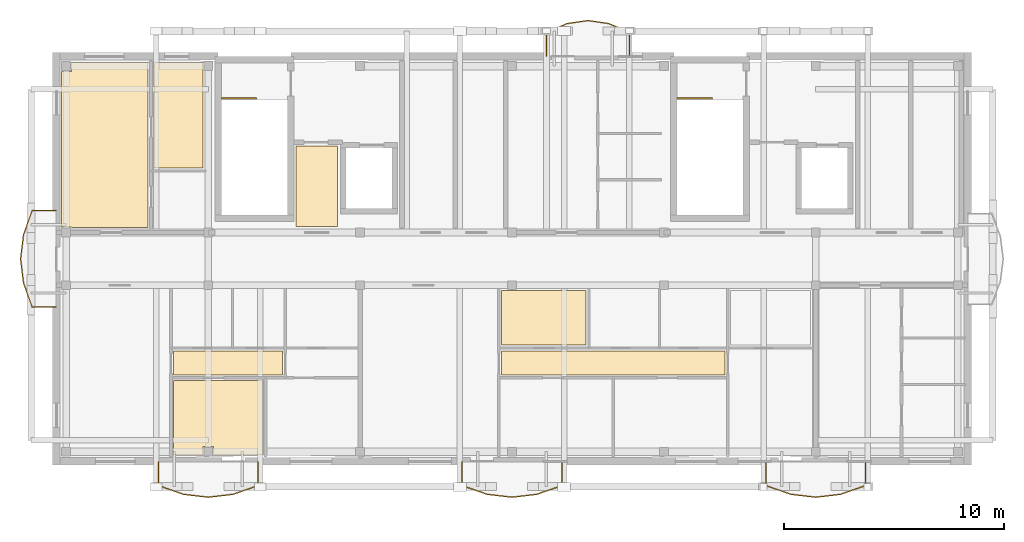
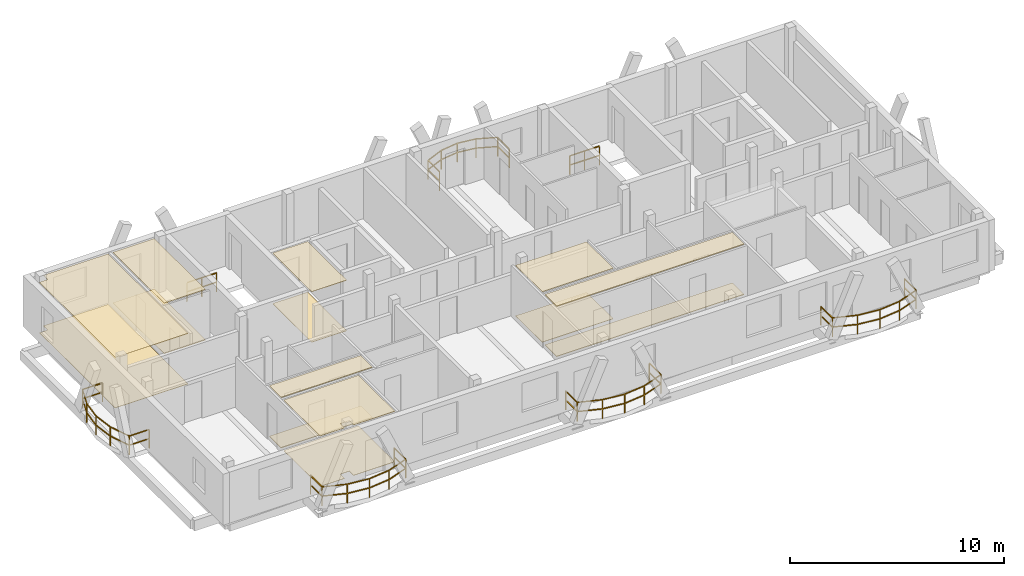
# One storey, part 6 of 7: 14 coverings, 7 railings.
"""IFC4 building model written with IfcOpenShell, lengths in metres."""

import ifcopenshell
import ifcopenshell.guid

model = None  # the IFC model being written
_history = None  # IfcOwnerHistory: only IFC2X3 demands one
_inside = {}  # id of a spatial element -> (the spatial element, [elements in it])
_under = {}  # id of a project, library or spatial element -> (it, [spatial elements below it])
_declared = {}  # id of a project -> (the project, [libraries it declares])
_typed = {}  # id of a type object -> (the type object, [elements of that type])
_made_of = {}  # id of a material, layer set ... -> (it, [elements and type objects made of it])


def new_model(schema):
    """Start an empty IFC model of exactly this schema.

    Asked for "IFC4X3", IfcOpenShell would pick the latest addendum, in which some entities
    have other attributes; the version numbers below select the first issue.
    IFC2X3 requires an IfcOwnerHistory on every rooted entity: one is made here for all.
    """
    global model, _history
    if schema == "IFC4X3":
        model = ifcopenshell.file(schema_version=(4, 3, 0, 0))
    else:
        model = ifcopenshell.file(schema=schema)
    _inside.clear()
    _under.clear()
    _declared.clear()
    _typed.clear()
    _made_of.clear()
    _history = None
    if model.schema == "IFC2X3":
        org = make("IfcOrganization", Name="unknown")
        user = make(
            "IfcPersonAndOrganization",
            ThePerson=make("IfcPerson", FamilyName="unknown"),
            TheOrganization=org,
        )
        app = make(
            "IfcApplication",
            ApplicationDeveloper=org,
            Version="unknown",
            ApplicationFullName="unknown",
            ApplicationIdentifier="unknown",
        )
        _history = make(
            "IfcOwnerHistory",
            OwningUser=user,
            OwningApplication=app,
            ChangeAction="ADDED",
            CreationDate=0,
        )
    return model


def make(cls, **values):
    """One entity of the class cls with the attributes given. An attribute that is None is left unset."""
    return model.create_entity(
        cls, **{name: value for name, value in values.items() if value is not None}
    )


def rooted(cls, **values):
    """An entity with a GlobalId (a new one), such as an element, a storey or a relation."""
    return make(cls, GlobalId=ifcopenshell.guid.new(), OwnerHistory=_history, **values)


def si_unit(unit_type, name, prefix=None):
    """IfcSIUnit, for example si_unit("LENGTHUNIT", "METRE", prefix="MILLI")."""
    return make("IfcSIUnit", UnitType=unit_type, Prefix=prefix, Name=name)


def assignment(units):
    """IfcUnitAssignment: the units of a project."""
    return None if units is None else make("IfcUnitAssignment", Units=units)


def point(xyz):
    """IfcCartesianPoint."""
    return None if xyz is None else make("IfcCartesianPoint", Coordinates=xyz)


def direction(xyz):
    """IfcDirection."""
    return None if xyz is None else make("IfcDirection", DirectionRatios=xyz)


def frame(location, z_axis=None, x_axis=None):
    """IfcAxis2Placement3D, a coordinate frame: its origin and axes. An axis left out is left unset."""
    return make(
        "IfcAxis2Placement3D",
        Location=point(location),
        Axis=direction(z_axis),
        RefDirection=direction(x_axis),
    )


def frame_2d(location, x_axis=None):
    """IfcAxis2Placement2D, a coordinate frame in the plane: its origin and x axis."""
    return make(
        "IfcAxis2Placement2D", Location=point(location), RefDirection=direction(x_axis)
    )


def origin():
    """The frame at (0, 0, 0) with its axes left unset."""
    return frame((0.0, 0.0, 0.0))


def origin_2d():
    """The frame at (0, 0) in the plane with its x axis left unset."""
    return frame_2d((0.0, 0.0))


def place(relative_to, where):
    """IfcLocalPlacement: puts the frame where relative to a parent placement (None: the world)."""
    return make(
        "IfcLocalPlacement", PlacementRelTo=relative_to, RelativePlacement=where
    )


def context(
    kind, dimensions, precision=None, world=None, true_north=None, identifier=None
):
    """IfcGeometricRepresentationContext, for example the 3D "Model" context."""
    return make(
        "IfcGeometricRepresentationContext",
        ContextIdentifier=identifier,
        ContextType=kind,
        CoordinateSpaceDimension=dimensions,
        Precision=precision,
        WorldCoordinateSystem=world,
        TrueNorth=true_north,
    )


def subcontext(parent, identifier, kind, view, scale=None):
    """IfcGeometricRepresentationSubContext, for example "Body" below "Model"."""
    return make(
        "IfcGeometricRepresentationSubContext",
        ContextIdentifier=identifier,
        ContextType=kind,
        ParentContext=parent,
        TargetScale=scale,
        TargetView=view,
    )


def project(units=None, contexts=None):
    """IfcProject with its units and contexts."""
    return rooted(
        "IfcProject",
        Name="project",
        RepresentationContexts=contexts,
        UnitsInContext=assignment(units),
    )


def spatial(cls, under=None, at=None, **own):
    """A site, building, storey or space (cls), placed at a placement, below another one or the project."""
    s = rooted(cls, ObjectPlacement=at, **own)
    if under is not None:
        _under.setdefault(under.id(), (under, []))[1].append(s)
    return s


def polyline(points):
    """IfcPolyline through the points."""
    return make("IfcPolyline", Points=[point(p) for p in points])


def profile(cls, at=None, kind="AREA", **sizes):
    """A parametric profile (cls). Its sizes go by their IFC names, for example OverallWidth=200.0."""
    return make(cls, ProfileType=kind, Position=at, **sizes)


def rectangle(**sizes):
    """IfcRectangleProfileDef."""
    return profile("IfcRectangleProfileDef", **sizes)


def outline(outer, holes=None, kind="AREA"):
    """IfcArbitraryClosedProfileDef: a profile drawn as a closed curve; with holes, ...WithVoids."""
    if holes is None:
        return make("IfcArbitraryClosedProfileDef", ProfileType=kind, OuterCurve=outer)
    return make(
        "IfcArbitraryProfileDefWithVoids",
        ProfileType=kind,
        OuterCurve=outer,
        InnerCurves=holes,
    )


def extrude(swept, where, along, depth):
    """IfcExtrudedAreaSolid: the profile swept, set in the frame where, extruded along a direction by depth."""
    return make(
        "IfcExtrudedAreaSolid",
        SweptArea=swept,
        Position=where,
        ExtrudedDirection=direction(along),
        Depth=depth,
    )


def shape(context_of_items, identifier, shape_type, items):
    """IfcShapeRepresentation: the items that make up one representation, for example the "Body"."""
    return make(
        "IfcShapeRepresentation",
        ContextOfItems=context_of_items,
        RepresentationIdentifier=identifier,
        RepresentationType=shape_type,
        Items=items,
    )


def material(Name=None, Category=None):
    """IfcMaterial."""
    return make("IfcMaterial", Name=Name, Category=Category)


def layer(
    of_material, thickness, ventilated=None, Name=None, Category=None, Priority=None
):
    """IfcMaterialLayer: one layer of a wall or slab, of a material (None: an air gap)."""
    return make(
        "IfcMaterialLayer",
        Material=of_material,
        LayerThickness=thickness,
        IsVentilated=ventilated,
        Name=Name,
        Category=Category,
        Priority=Priority,
    )


def layer_set(layers, Name=None):
    """IfcMaterialLayerSet."""
    return make("IfcMaterialLayerSet", MaterialLayers=layers, LayerSetName=Name)


def made_of(thing, what):
    """Note that an element or type object is made of a material, layer set ...; save() writes the relation."""
    if what is not None:
        _made_of.setdefault(what.id(), (what, []))[1].append(thing)
    return thing


def type_object(cls, material=None, **own):
    """A type object (cls), such as IfcWallType, which elements share."""
    return made_of(rooted(cls, **own), material)


def element(
    cls,
    number,
    at=None,
    inside=None,
    cuts=None,
    type_object=None,
    material=None,
    context=None,
    identifier="Body",
    shape_type=None,
    held_by="IfcProductDefinitionShape",
    body=None,
    shapes=None,
    **own,
):
    """One element of the class cls, such as IfcWall. Its Tag is "e" and its number.

    at: its placement. inside: the storey or other place that contains it. cuts: it is an
    opening in that element (IfcRelVoidsElement). A single representation is given by context,
    identifier, shape_type and body (its items); several are given by shapes. held_by: the class
    of the entity that holds the representations. save() writes the other relations.
    """
    e = rooted(cls, Tag="e%d" % number, ObjectPlacement=at, **own)
    if body is not None:
        shapes = [shape(context, identifier, shape_type, body)]
    if shapes is not None:
        e.Representation = make(held_by, Representations=shapes)
    if inside is not None:
        _inside.setdefault(inside.id(), (inside, []))[1].append(e)
    if cuts is not None:
        rooted(
            "IfcRelVoidsElement", RelatingBuildingElement=cuts, RelatedOpeningElement=e
        )
    if type_object is not None:
        _typed.setdefault(type_object.id(), (type_object, []))[1].append(e)
    return made_of(e, material)


def aggregate(whole, parts):
    """IfcRelAggregates: a whole, such as a stair, and the parts it consists of."""
    return rooted("IfcRelAggregates", RelatingObject=whole, RelatedObjects=parts)


def save(model, path):
    """Write the relations noted so far, then the file.

    IfcRelAggregates (storeys below a building ...), IfcRelContainedInSpatialStructure (elements
    in a storey), IfcRelDefinesByType, IfcRelAssociatesMaterial and IfcRelDeclares: one each for
    every whole, place, type object, material and project.
    """
    for whole, parts in _under.values():
        aggregate(whole, parts)
    for where, things in _inside.values():
        rooted(
            "IfcRelContainedInSpatialStructure",
            RelatedElements=things,
            RelatingStructure=where,
        )
    for kind, things in _typed.values():
        rooted("IfcRelDefinesByType", RelatedObjects=things, RelatingType=kind)
    for what, things in _made_of.values():
        rooted("IfcRelAssociatesMaterial", RelatedObjects=things, RelatingMaterial=what)
    for by, libraries in _declared.values():
        rooted("IfcRelDeclares", RelatingContext=by, RelatedDefinitions=libraries)
    model.write(path)


model = new_model("IFC4")

# Units and contexts
model_context = context("Model", 3, precision=1e-05, world=origin(), true_north=direction((0.0, 1.0)))
body_context = subcontext(model_context, "Body", "Model", "MODEL_VIEW")
ifc_project = project(units=[si_unit("LENGTHUNIT", "METRE"), si_unit("AREAUNIT", "SQUARE_METRE"), si_unit("VOLUMEUNIT", "CUBIC_METRE"), si_unit("PLANEANGLEUNIT", "RADIAN"), si_unit("MASSUNIT", "GRAM", prefix="KILO")], contexts=[model_context])

# Site, building, storey
site_placement = place(None, origin())
site = spatial("IfcSite", under=ifc_project, at=site_placement, CompositionType="ELEMENT")
building_placement = place(site_placement, origin())
building = spatial("IfcBuilding", under=site, at=building_placement, Name="Zavelmont Quarter", CompositionType="ELEMENT")
storey_placement = place(building_placement, frame((0.0, 0.0, 46.39990234375)))
storey = spatial("IfcBuildingStorey", under=building, at=storey_placement, Name="L14", CompositionType="ELEMENT", Elevation=46.39990234375)

# Coverings
ifc_material_1 = material(Name="Perforated acoustic gypsum board")
ifc_layer_1 = layer(ifc_material_1, 0.02490234375)
ifc_layer_set_1 = layer_set([ifc_layer_1], Name="Perforated acoustic gypsum board")
covering_type_1 = type_object("IfcCoveringType", Name="CV-CL01", PredefinedType="CEILING", material=ifc_layer_set_1)
covering_1_placement = place(storey_placement, frame((0.0, 0.0, 2.885009765625)))
element("IfcCovering", 1, at=covering_1_placement, inside=storey, type_object=covering_type_1, Name="L14 Lobby Vestibule acoustic ceiling", PredefinedType="CEILING", context=body_context, shape_type="SweptSolid", body=[
    extrude(outline(polyline([(10.8798828125, 14.320068359375), (12.77001953125, 14.320068359375), (12.77001953125, 10.679931640625), (10.8798828125, 10.679931640625), (10.8798828125, 14.320068359375)])), origin(), (0.0, 0.0, 1.0), 0.025146484375),
])
covering_2_placement = place(storey_placement, frame((0.0, 0.0, 2.885009765625)))
element("IfcCovering", 2, at=covering_2_placement, inside=storey, type_object=covering_type_1, Name="L14 Master Bedroom acoustic ceiling", PredefinedType="CEILING", context=body_context, shape_type="SweptSolid", body=[
    extrude(outline(polyline([(5.330078125, 3.669921875), (9.3701171875, 3.669921875), (9.3701171875, 0.280029296875), (7.139892578125, 0.280029296875), (7.139892578125, 0.679931640625), (6.659912109375, 0.679931640625), (6.659912109375, 0.280029296875), (5.330078125, 0.280029296875), (5.330078125, 3.669921875)])), origin(), (0.0, 0.0, 1.0), 0.025146484375),
])
covering_3_placement = place(storey_placement, frame((0.0, 0.0, 2.885009765625)))
element("IfcCovering", 3, at=covering_3_placement, inside=storey, type_object=covering_type_1, Name="L14 Kitchen acoustic ceiling", PredefinedType="CEILING", context=body_context, shape_type="SweptSolid", body=[
    extrude(outline(polyline([(20.22998046875, 7.77001953125), (20.4599609375, 7.77001953125), (20.4599609375, 7.760009765625), (20.93994140625, 7.760009765625), (20.93994140625, 7.77001953125), (24.070068359375, 7.77001953125), (24.070068359375, 5.280029296875), (20.22998046875, 5.280029296875), (20.22998046875, 7.77001953125)])), origin(), (0.0, 0.0, 1.0), 0.025146484375),
])
covering_4_placement = place(storey_placement, frame((0.0, 0.0, 2.885009765625)))
element("IfcCovering", 4, at=covering_4_placement, inside=storey, type_object=covering_type_1, Name="L14 Residents Study Lounge acoustic ceiling", PredefinedType="CEILING", context=body_context, shape_type="SweptSolid", body=[
    extrude(outline(polyline([(0.22998046875, 17.719970703125), (0.679931640625, 17.719970703125), (0.679931640625, 18.1201171875), (4.169921875, 18.1201171875), (4.169921875, 10.6298828125), (0.679931640625, 10.6298828125), (0.679931640625, 10.639892578125), (0.22998046875, 10.639892578125), (0.22998046875, 17.719970703125)])), origin(), (0.0, 0.0, 1.0), 0.025146484375),
])
covering_5_placement = place(storey_placement, frame((0.0, 0.0, 2.885009765625)))
element("IfcCovering", 5, at=covering_5_placement, inside=storey, type_object=covering_type_1, Name="L14 Reading Alcove acoustic ceiling", PredefinedType="CEILING", context=body_context, shape_type="SweptSolid", body=[
    extrude(outline(polyline([(4.429931640625, 18.1201171875), (6.659912109375, 18.1201171875), (6.659912109375, 17.719970703125), (6.669921875, 17.719970703125), (6.669921875, 13.330078125), (4.429931640625, 13.330078125), (4.429931640625, 18.1201171875)])), origin(), (0.0, 0.0, 1.0), 0.025146484375),
])
ifc_material_2 = material(Name="Slatted European ash acoustic baffle ceiling")
ifc_layer_2 = layer(ifc_material_2, 0.0400390625)
ifc_layer_set_2 = layer_set([ifc_layer_2], Name="Slatted European ash acoustic baffle ceiling")
covering_type_2 = type_object("IfcCoveringType", Name="CV-CL02", PredefinedType="CEILING", material=ifc_layer_set_2)
covering_6_placement = place(storey_placement, frame((0.0, 0.0, 2.8701171875)))
element("IfcCovering", 6, at=covering_6_placement, inside=storey, type_object=covering_type_2, Name="L14 Apartment Hall acoustic ceiling", PredefinedType="CEILING", context=body_context, shape_type="SweptSolid", body=[
    extrude(outline(polyline([(5.330078125, 5.02001953125), (10.27001953125, 5.02001953125), (10.27001953125, 3.929931640625), (5.330078125, 3.929931640625), (5.330078125, 5.02001953125)])), origin(), (0.0, 0.0, 1.0), 0.0400390625),
])
covering_7_placement = place(storey_placement, frame((0.0, 0.0, 2.8701171875)))
element("IfcCovering", 7, at=covering_7_placement, inside=storey, type_object=covering_type_2, Name="L14 Apartment Hall acoustic ceiling", PredefinedType="CEILING", context=body_context, shape_type="SweptSolid", body=[
    extrude(outline(polyline([(20.22998046875, 5.02001953125), (30.3701171875, 5.02001953125), (30.3701171875, 3.929931640625), (20.22998046875, 3.929931640625), (20.22998046875, 5.02001953125)])), origin(), (0.0, 0.0, 1.0), 0.0400390625),
])
ifc_material_3 = material(Name="Engineered European oak parquet")
ifc_layer_3 = layer(ifc_material_3, 0.02197265625)
ifc_layer_set_3 = layer_set([ifc_layer_3], Name="Engineered European oak parquet")
covering_type_3 = type_object("IfcCoveringType", Name="CV-FL01", PredefinedType="FLOORING", material=ifc_layer_set_3)
covering_8_placement = place(storey_placement, origin())
element("IfcCovering", 8, at=covering_8_placement, inside=storey, type_object=covering_type_3, Name="L14 Lobby Vestibule floor finish", PredefinedType="FLOORING", context=body_context, shape_type="SweptSolid", body=[
    extrude(outline(polyline([(10.8798828125, 14.320068359375), (12.77001953125, 14.320068359375), (12.77001953125, 10.679931640625), (10.8798828125, 10.679931640625), (10.8798828125, 14.320068359375)])), origin(), (0.0, 0.0, 1.0), 0.022216796875),
])
covering_9_placement = place(storey_placement, origin())
element("IfcCovering", 9, at=covering_9_placement, inside=storey, type_object=covering_type_3, Name="L14 Master Bedroom floor finish", PredefinedType="FLOORING", context=body_context, shape_type="SweptSolid", body=[
    extrude(outline(polyline([(5.330078125, 3.669921875), (9.3701171875, 3.669921875), (9.3701171875, 0.280029296875), (7.139892578125, 0.280029296875), (7.139892578125, 0.679931640625), (6.659912109375, 0.679931640625), (6.659912109375, 0.280029296875), (5.330078125, 0.280029296875), (5.330078125, 3.669921875)])), origin(), (0.0, 0.0, 1.0), 0.022216796875),
])
covering_10_placement = place(storey_placement, origin())
element("IfcCovering", 10, at=covering_10_placement, inside=storey, type_object=covering_type_3, Name="L14 Kitchen floor finish", PredefinedType="FLOORING", context=body_context, shape_type="SweptSolid", body=[
    extrude(outline(polyline([(20.22998046875, 7.77001953125), (20.4599609375, 7.77001953125), (20.4599609375, 7.760009765625), (20.93994140625, 7.760009765625), (20.93994140625, 7.77001953125), (24.070068359375, 7.77001953125), (24.070068359375, 5.280029296875), (20.22998046875, 5.280029296875), (20.22998046875, 7.77001953125)])), origin(), (0.0, 0.0, 1.0), 0.022216796875),
])
covering_11_placement = place(storey_placement, origin())
element("IfcCovering", 11, at=covering_11_placement, inside=storey, type_object=covering_type_3, Name="L14 Residents Study Lounge floor finish", PredefinedType="FLOORING", context=body_context, shape_type="SweptSolid", body=[
    extrude(outline(polyline([(0.22998046875, 17.719970703125), (0.679931640625, 17.719970703125), (0.679931640625, 18.1201171875), (4.169921875, 18.1201171875), (4.169921875, 10.6298828125), (0.679931640625, 10.6298828125), (0.679931640625, 10.639892578125), (0.22998046875, 10.639892578125), (0.22998046875, 17.719970703125)])), origin(), (0.0, 0.0, 1.0), 0.022216796875),
])
covering_12_placement = place(storey_placement, origin())
element("IfcCovering", 12, at=covering_12_placement, inside=storey, type_object=covering_type_3, Name="L14 Reading Alcove floor finish", PredefinedType="FLOORING", context=body_context, shape_type="SweptSolid", body=[
    extrude(outline(polyline([(4.429931640625, 18.1201171875), (6.659912109375, 18.1201171875), (6.659912109375, 17.719970703125), (6.669921875, 17.719970703125), (6.669921875, 13.330078125), (4.429931640625, 13.330078125), (4.429931640625, 18.1201171875)])), origin(), (0.0, 0.0, 1.0), 0.022216796875),
])
ifc_material_4 = material(Name="Honed Belgian bluestone tile", Category="masonry")
ifc_layer_4 = layer(ifc_material_4, 0.030029296875)
ifc_layer_set_4 = layer_set([ifc_layer_4], Name="Honed Belgian bluestone tile")
covering_type_4 = type_object("IfcCoveringType", Name="CV-FL02", PredefinedType="FLOORING", material=ifc_layer_set_4)
covering_13_placement = place(storey_placement, origin())
element("IfcCovering", 13, at=covering_13_placement, inside=storey, type_object=covering_type_4, Name="L14 Apartment Hall floor finish", PredefinedType="FLOORING", context=body_context, shape_type="SweptSolid", body=[
    extrude(outline(polyline([(5.330078125, 5.02001953125), (10.27001953125, 5.02001953125), (10.27001953125, 3.929931640625), (5.330078125, 3.929931640625), (5.330078125, 5.02001953125)])), origin(), (0.0, 0.0, 1.0), 0.030029296875),
])
covering_14_placement = place(storey_placement, origin())
element("IfcCovering", 14, at=covering_14_placement, inside=storey, type_object=covering_type_4, Name="L14 Apartment Hall floor finish", PredefinedType="FLOORING", context=body_context, shape_type="SweptSolid", body=[
    extrude(outline(polyline([(20.22998046875, 5.02001953125), (30.3701171875, 5.02001953125), (30.3701171875, 3.929931640625), (20.22998046875, 3.929931640625), (20.22998046875, 5.02001953125)])), origin(), (0.0, 0.0, 1.0), 0.030029296875),
])

# Railings
ifc_material_5 = material(Name="Powder-coated steel and tempered double safety glass", Category="steel")
railing_type_1 = type_object("IfcRailingType", Name="RL-BAL1", PredefinedType="BALUSTRADE", material=ifc_material_5)
railing_1_placement = place(storey_placement, frame((4.636962890625, -0.02001953125, 0.0)))
element("IfcRailing", 15, at=railing_1_placement, inside=storey, type_object=railing_type_1, Name="L14 Block A curved balcony guard RL-BAL1", PredefinedType="BALUSTRADE", context=body_context, shape_type="SweptSolid", body=[
    extrude(rectangle(XDim=0.048095703125, YDim=0.048095703125, at=origin_2d()), frame((0.0, 0.0, 1.076171875), z_axis=(0.0, -1.0, 0.0), x_axis=(1.0, 0.0, 0.0)), (0.0, 0.0, 1.0), 1.080078125),
    extrude(rectangle(XDim=0.048095703125, YDim=0.048095703125, at=origin_2d()), frame((0.0, 0.0, 0.550048828125), z_axis=(0.0, -1.0, 0.0), x_axis=(1.0, 0.0, 0.0)), (0.0, 0.0, 1.0), 1.080078125),
    extrude(rectangle(XDim=0.048095703125, YDim=0.048095703125, at=origin_2d()), frame((0.0, -1.080078125, 1.076171875), z_axis=(0.943110479337, -0.332479508789, 0.0), x_axis=(0.332479508789, 0.943110479337, 0.0)), (0.0, 0.0, 1.0), 1.199951171875),
    extrude(rectangle(XDim=0.048095703125, YDim=0.048095703125, at=origin_2d()), frame((0.0, -1.080078125, 0.550048828125), z_axis=(0.943110479337, -0.332479508789, 0.0), x_axis=(0.332479508789, 0.943110479337, 0.0)), (0.0, 0.0, 1.0), 1.199951171875),
    extrude(rectangle(XDim=0.048095703125, YDim=0.048095703125, at=origin_2d()), frame((1.131591796875, -1.47900390625, 1.076171875), z_axis=(0.993154992411, -0.116803942785, 0.0), x_axis=(0.116803942785, 0.993154992411, 0.0)), (0.0, 0.0, 1.0), 1.13916015625),
    extrude(rectangle(XDim=0.048095703125, YDim=0.048095703125, at=origin_2d()), frame((1.131591796875, -1.47900390625, 0.550048828125), z_axis=(0.993154992411, -0.116803942785, 0.0), x_axis=(0.116803942785, 0.993154992411, 0.0)), (0.0, 0.0, 1.0), 1.13916015625),
    extrude(rectangle(XDim=0.048095703125, YDim=0.048095703125, at=origin_2d()), frame((2.262939453125, -1.612060546875, 1.076171875), z_axis=(0.993157915468, 0.116779086069, 0.0), x_axis=(-0.116779086069, 0.993157915468, 0.0)), (0.0, 0.0, 1.0), 1.139404296875),
    extrude(rectangle(XDim=0.048095703125, YDim=0.048095703125, at=origin_2d()), frame((2.262939453125, -1.612060546875, 0.550048828125), z_axis=(0.993157915468, 0.116779086069, 0.0), x_axis=(-0.116779086069, 0.993157915468, 0.0)), (0.0, 0.0, 1.0), 1.139404296875),
    extrude(rectangle(XDim=0.048095703125, YDim=0.048095703125, at=origin_2d()), frame((3.39453125, -1.47900390625, 1.076171875), z_axis=(0.943110479337, 0.332479508789, 0.0), x_axis=(-0.332479508789, 0.943110479337, 0.0)), (0.0, 0.0, 1.0), 1.199951171875),
    extrude(rectangle(XDim=0.048095703125, YDim=0.048095703125, at=origin_2d()), frame((3.39453125, -1.47900390625, 0.550048828125), z_axis=(0.943110479337, 0.332479508789, 0.0), x_axis=(-0.332479508789, 0.943110479337, 0.0)), (0.0, 0.0, 1.0), 1.199951171875),
    extrude(rectangle(XDim=0.048095703125, YDim=0.048095703125, at=origin_2d()), frame((4.526123046875, -1.080078125, 1.076171875), z_axis=(0.0, 1.0, 0.0), x_axis=(-1.0, 0.0, 0.0)), (0.0, 0.0, 1.0), 1.080078125),
    extrude(rectangle(XDim=0.048095703125, YDim=0.048095703125, at=origin_2d()), frame((4.526123046875, -1.080078125, 0.550048828125), z_axis=(0.0, 1.0, 0.0), x_axis=(-1.0, 0.0, 0.0)), (0.0, 0.0, 1.0), 1.080078125),
    extrude(rectangle(XDim=0.0419921875, YDim=0.0419921875, at=origin_2d()), origin(), (0.0, 0.0, 1.0), 1.052001953125),
    extrude(rectangle(XDim=0.0419921875, YDim=0.0419921875, at=origin_2d()), frame((0.0, -1.080078125, 0.0)), (0.0, 0.0, 1.0), 1.052001953125),
    extrude(rectangle(XDim=0.0419921875, YDim=0.0419921875, at=origin_2d()), frame((1.131591796875, -1.47900390625, 0.0)), (0.0, 0.0, 1.0), 1.052001953125),
    extrude(rectangle(XDim=0.0419921875, YDim=0.0419921875, at=origin_2d()), frame((2.262939453125, -1.612060546875, 0.0)), (0.0, 0.0, 1.0), 1.052001953125),
    extrude(rectangle(XDim=0.0419921875, YDim=0.0419921875, at=origin_2d()), frame((3.39453125, -1.47900390625, 0.0)), (0.0, 0.0, 1.0), 1.052001953125),
    extrude(rectangle(XDim=0.0419921875, YDim=0.0419921875, at=origin_2d()), frame((4.526123046875, -1.080078125, 0.0)), (0.0, 0.0, 1.0), 1.052001953125),
    extrude(rectangle(XDim=0.0419921875, YDim=0.0419921875, at=origin_2d()), frame((4.526123046875, 0.0, 0.0)), (0.0, 0.0, 1.0), 1.052001953125),
])
railing_2_placement = place(storey_placement, frame((18.43701171875, -0.02001953125, 0.0)))
element("IfcRailing", 16, at=railing_2_placement, inside=storey, type_object=railing_type_1, Name="L14 Block A curved balcony guard RL-BAL1", PredefinedType="BALUSTRADE", context=body_context, shape_type="SweptSolid", body=[
    extrude(rectangle(XDim=0.048095703125, YDim=0.048095703125, at=origin_2d()), frame((0.0, 0.0, 1.076171875), z_axis=(0.0, -1.0, 0.0), x_axis=(1.0, 0.0, 0.0)), (0.0, 0.0, 1.0), 1.080078125),
    extrude(rectangle(XDim=0.048095703125, YDim=0.048095703125, at=origin_2d()), frame((0.0, 0.0, 0.550048828125), z_axis=(0.0, -1.0, 0.0), x_axis=(1.0, 0.0, 0.0)), (0.0, 0.0, 1.0), 1.080078125),
    extrude(rectangle(XDim=0.048095703125, YDim=0.048095703125, at=origin_2d()), frame((0.0, -1.080078125, 1.076171875), z_axis=(0.943110479337, -0.332479508789, 0.0), x_axis=(0.332479508789, 0.943110479337, 0.0)), (0.0, 0.0, 1.0), 1.199951171875),
    extrude(rectangle(XDim=0.048095703125, YDim=0.048095703125, at=origin_2d()), frame((0.0, -1.080078125, 0.550048828125), z_axis=(0.943110479337, -0.332479508789, 0.0), x_axis=(0.332479508789, 0.943110479337, 0.0)), (0.0, 0.0, 1.0), 1.199951171875),
    extrude(rectangle(XDim=0.048095703125, YDim=0.048095703125, at=origin_2d()), frame((1.131591796875, -1.47900390625, 1.076171875), z_axis=(0.993154992411, -0.116803942785, 0.0), x_axis=(0.116803942785, 0.993154992411, 0.0)), (0.0, 0.0, 1.0), 1.13916015625),
    extrude(rectangle(XDim=0.048095703125, YDim=0.048095703125, at=origin_2d()), frame((1.131591796875, -1.47900390625, 0.550048828125), z_axis=(0.993154992411, -0.116803942785, 0.0), x_axis=(0.116803942785, 0.993154992411, 0.0)), (0.0, 0.0, 1.0), 1.13916015625),
    extrude(rectangle(XDim=0.048095703125, YDim=0.048095703125, at=origin_2d()), frame((2.262939453125, -1.612060546875, 1.076171875), z_axis=(0.993157915468, 0.116779086069, 0.0), x_axis=(-0.116779086069, 0.993157915468, 0.0)), (0.0, 0.0, 1.0), 1.139404296875),
    extrude(rectangle(XDim=0.048095703125, YDim=0.048095703125, at=origin_2d()), frame((2.262939453125, -1.612060546875, 0.550048828125), z_axis=(0.993157915468, 0.116779086069, 0.0), x_axis=(-0.116779086069, 0.993157915468, 0.0)), (0.0, 0.0, 1.0), 1.139404296875),
    extrude(rectangle(XDim=0.048095703125, YDim=0.048095703125, at=origin_2d()), frame((3.39453125, -1.47900390625, 1.076171875), z_axis=(0.943087980109, 0.332543323154, 0.0), x_axis=(-0.332543323154, 0.943087980109, 0.0)), (0.0, 0.0, 1.0), 1.19970703125),
    extrude(rectangle(XDim=0.048095703125, YDim=0.048095703125, at=origin_2d()), frame((3.39453125, -1.47900390625, 0.550048828125), z_axis=(0.943087980109, 0.332543323154, 0.0), x_axis=(-0.332543323154, 0.943087980109, 0.0)), (0.0, 0.0, 1.0), 1.19970703125),
    extrude(rectangle(XDim=0.048095703125, YDim=0.048095703125, at=origin_2d()), frame((4.52587890625, -1.080078125, 1.076171875), z_axis=(0.0, 1.0, 0.0), x_axis=(-1.0, 0.0, 0.0)), (0.0, 0.0, 1.0), 1.080078125),
    extrude(rectangle(XDim=0.048095703125, YDim=0.048095703125, at=origin_2d()), frame((4.52587890625, -1.080078125, 0.550048828125), z_axis=(0.0, 1.0, 0.0), x_axis=(-1.0, 0.0, 0.0)), (0.0, 0.0, 1.0), 1.080078125),
    extrude(rectangle(XDim=0.0419921875, YDim=0.0419921875, at=origin_2d()), origin(), (0.0, 0.0, 1.0), 1.052001953125),
    extrude(rectangle(XDim=0.0419921875, YDim=0.0419921875, at=origin_2d()), frame((0.0, -1.080078125, 0.0)), (0.0, 0.0, 1.0), 1.052001953125),
    extrude(rectangle(XDim=0.0419921875, YDim=0.0419921875, at=origin_2d()), frame((1.131591796875, -1.47900390625, 0.0)), (0.0, 0.0, 1.0), 1.052001953125),
    extrude(rectangle(XDim=0.0419921875, YDim=0.0419921875, at=origin_2d()), frame((2.262939453125, -1.612060546875, 0.0)), (0.0, 0.0, 1.0), 1.052001953125),
    extrude(rectangle(XDim=0.0419921875, YDim=0.0419921875, at=origin_2d()), frame((3.39453125, -1.47900390625, 0.0)), (0.0, 0.0, 1.0), 1.052001953125),
    extrude(rectangle(XDim=0.0419921875, YDim=0.0419921875, at=origin_2d()), frame((4.52587890625, -1.080078125, 0.0)), (0.0, 0.0, 1.0), 1.052001953125),
    extrude(rectangle(XDim=0.0419921875, YDim=0.0419921875, at=origin_2d()), frame((4.52587890625, 0.0, 0.0)), (0.0, 0.0, 1.0), 1.052001953125),
])
railing_3_placement = place(storey_placement, frame((32.237060546875, -0.02001953125, 0.0)))
element("IfcRailing", 17, at=railing_3_placement, inside=storey, type_object=railing_type_1, Name="L14 Block A curved balcony guard RL-BAL1", PredefinedType="BALUSTRADE", context=body_context, shape_type="SweptSolid", body=[
    extrude(rectangle(XDim=0.048095703125, YDim=0.048095703125, at=origin_2d()), frame((0.0, 0.0, 1.076171875), z_axis=(0.0, -1.0, 0.0), x_axis=(1.0, 0.0, 0.0)), (0.0, 0.0, 1.0), 1.080078125),
    extrude(rectangle(XDim=0.048095703125, YDim=0.048095703125, at=origin_2d()), frame((0.0, 0.0, 0.550048828125), z_axis=(0.0, -1.0, 0.0), x_axis=(1.0, 0.0, 0.0)), (0.0, 0.0, 1.0), 1.080078125),
    extrude(rectangle(XDim=0.048095703125, YDim=0.048095703125, at=origin_2d()), frame((0.0, -1.080078125, 1.076171875), z_axis=(0.943087980109, -0.332543323154, 0.0), x_axis=(0.332543323154, 0.943087980109, 0.0)), (0.0, 0.0, 1.0), 1.19970703125),
    extrude(rectangle(XDim=0.048095703125, YDim=0.048095703125, at=origin_2d()), frame((0.0, -1.080078125, 0.550048828125), z_axis=(0.943087980109, -0.332543323154, 0.0), x_axis=(0.332543323154, 0.943087980109, 0.0)), (0.0, 0.0, 1.0), 1.19970703125),
    extrude(rectangle(XDim=0.048095703125, YDim=0.048095703125, at=origin_2d()), frame((1.13134765625, -1.47900390625, 1.076171875), z_axis=(0.993157915468, -0.116779086069, 0.0), x_axis=(0.116779086069, 0.993157915468, 0.0)), (0.0, 0.0, 1.0), 1.139404296875),
    extrude(rectangle(XDim=0.048095703125, YDim=0.048095703125, at=origin_2d()), frame((1.13134765625, -1.47900390625, 0.550048828125), z_axis=(0.993157915468, -0.116779086069, 0.0), x_axis=(0.116779086069, 0.993157915468, 0.0)), (0.0, 0.0, 1.0), 1.139404296875),
    extrude(rectangle(XDim=0.048095703125, YDim=0.048095703125, at=origin_2d()), frame((2.262939453125, -1.612060546875, 1.076171875), z_axis=(0.993157915468, 0.116779086069, 0.0), x_axis=(-0.116779086069, 0.993157915468, 0.0)), (0.0, 0.0, 1.0), 1.139404296875),
    extrude(rectangle(XDim=0.048095703125, YDim=0.048095703125, at=origin_2d()), frame((2.262939453125, -1.612060546875, 0.550048828125), z_axis=(0.993157915468, 0.116779086069, 0.0), x_axis=(-0.116779086069, 0.993157915468, 0.0)), (0.0, 0.0, 1.0), 1.139404296875),
    extrude(rectangle(XDim=0.048095703125, YDim=0.048095703125, at=origin_2d()), frame((3.39453125, -1.47900390625, 1.076171875), z_axis=(0.943087980109, 0.332543323154, 0.0), x_axis=(-0.332543323154, 0.943087980109, 0.0)), (0.0, 0.0, 1.0), 1.19970703125),
    extrude(rectangle(XDim=0.048095703125, YDim=0.048095703125, at=origin_2d()), frame((3.39453125, -1.47900390625, 0.550048828125), z_axis=(0.943087980109, 0.332543323154, 0.0), x_axis=(-0.332543323154, 0.943087980109, 0.0)), (0.0, 0.0, 1.0), 1.19970703125),
    extrude(rectangle(XDim=0.048095703125, YDim=0.048095703125, at=origin_2d()), frame((4.52587890625, -1.080078125, 1.076171875), z_axis=(0.0, 1.0, 0.0), x_axis=(-1.0, 0.0, 0.0)), (0.0, 0.0, 1.0), 1.080078125),
    extrude(rectangle(XDim=0.048095703125, YDim=0.048095703125, at=origin_2d()), frame((4.52587890625, -1.080078125, 0.550048828125), z_axis=(0.0, 1.0, 0.0), x_axis=(-1.0, 0.0, 0.0)), (0.0, 0.0, 1.0), 1.080078125),
    extrude(rectangle(XDim=0.0419921875, YDim=0.0419921875, at=origin_2d()), origin(), (0.0, 0.0, 1.0), 1.052001953125),
    extrude(rectangle(XDim=0.0419921875, YDim=0.0419921875, at=origin_2d()), frame((0.0, -1.080078125, 0.0)), (0.0, 0.0, 1.0), 1.052001953125),
    extrude(rectangle(XDim=0.0419921875, YDim=0.0419921875, at=origin_2d()), frame((1.13134765625, -1.47900390625, 0.0)), (0.0, 0.0, 1.0), 1.052001953125),
    extrude(rectangle(XDim=0.0419921875, YDim=0.0419921875, at=origin_2d()), frame((2.262939453125, -1.612060546875, 0.0)), (0.0, 0.0, 1.0), 1.052001953125),
    extrude(rectangle(XDim=0.0419921875, YDim=0.0419921875, at=origin_2d()), frame((3.39453125, -1.47900390625, 0.0)), (0.0, 0.0, 1.0), 1.052001953125),
    extrude(rectangle(XDim=0.0419921875, YDim=0.0419921875, at=origin_2d()), frame((4.52587890625, -1.080078125, 0.0)), (0.0, 0.0, 1.0), 1.052001953125),
    extrude(rectangle(XDim=0.0419921875, YDim=0.0419921875, at=origin_2d()), frame((4.52587890625, 0.0, 0.0)), (0.0, 0.0, 1.0), 1.052001953125),
])
railing_4_placement = place(storey_placement, frame((-0.02001953125, 11.391845703125, 0.0)))
element("IfcRailing", 18, at=railing_4_placement, inside=storey, type_object=railing_type_1, Name="L14 Block A curved balcony guard RL-BAL1", PredefinedType="BALUSTRADE", context=body_context, shape_type="SweptSolid", body=[
    extrude(rectangle(XDim=0.048095703125, YDim=0.048095703125, at=origin_2d()), frame((0.0, 0.0, 1.076171875), z_axis=(-1.0, 0.0, 0.0), x_axis=(0.0, -1.0, 0.0)), (0.0, 0.0, 1.0), 1.080078125),
    extrude(rectangle(XDim=0.048095703125, YDim=0.048095703125, at=origin_2d()), frame((0.0, 0.0, 0.550048828125), z_axis=(-1.0, 0.0, 0.0), x_axis=(0.0, -1.0, 0.0)), (0.0, 0.0, 1.0), 1.080078125),
    extrude(rectangle(XDim=0.048095703125, YDim=0.048095703125, at=origin_2d()), frame((-1.080078125, 0.0, 1.076171875), z_axis=(-0.342045581027, -0.93968336183, 0.0), x_axis=(0.93968336183, -0.342045581027, 0.0)), (0.0, 0.0, 1.0), 1.166259765625),
    extrude(rectangle(XDim=0.048095703125, YDim=0.048095703125, at=origin_2d()), frame((-1.080078125, 0.0, 0.550048828125), z_axis=(-0.342045581027, -0.93968336183, 0.0), x_axis=(0.93968336183, -0.342045581027, 0.0)), (0.0, 0.0, 1.0), 1.166259765625),
    extrude(rectangle(XDim=0.048095703125, YDim=0.048095703125, at=origin_2d()), frame((-1.47900390625, -1.095947265625, 1.076171875), z_axis=(-0.120522889054, -0.992710548556, 0.0), x_axis=(0.992710548556, -0.120522889054, 0.0)), (0.0, 0.0, 1.0), 1.10400390625),
    extrude(rectangle(XDim=0.048095703125, YDim=0.048095703125, at=origin_2d()), frame((-1.47900390625, -1.095947265625, 0.550048828125), z_axis=(-0.120522889054, -0.992710548556, 0.0), x_axis=(0.992710548556, -0.120522889054, 0.0)), (0.0, 0.0, 1.0), 1.10400390625),
    extrude(rectangle(XDim=0.048095703125, YDim=0.048095703125, at=origin_2d()), frame((-1.612060546875, -2.19189453125, 1.076171875), z_axis=(0.120522889054, -0.992710548556, 0.0), x_axis=(0.992710548556, 0.120522889054, 0.0)), (0.0, 0.0, 1.0), 1.10400390625),
    extrude(rectangle(XDim=0.048095703125, YDim=0.048095703125, at=origin_2d()), frame((-1.612060546875, -2.19189453125, 0.550048828125), z_axis=(0.120522889054, -0.992710548556, 0.0), x_axis=(0.992710548556, 0.120522889054, 0.0)), (0.0, 0.0, 1.0), 1.10400390625),
    extrude(rectangle(XDim=0.048095703125, YDim=0.048095703125, at=origin_2d()), frame((-1.47900390625, -3.287841796875, 1.076171875), z_axis=(0.342112875164, -0.939658863975, 0.0), x_axis=(0.939658863975, 0.342112875164, 0.0)), (0.0, 0.0, 1.0), 1.166015625),
    extrude(rectangle(XDim=0.048095703125, YDim=0.048095703125, at=origin_2d()), frame((-1.47900390625, -3.287841796875, 0.550048828125), z_axis=(0.342112875164, -0.939658863975, 0.0), x_axis=(0.939658863975, 0.342112875164, 0.0)), (0.0, 0.0, 1.0), 1.166015625),
    extrude(rectangle(XDim=0.048095703125, YDim=0.048095703125, at=origin_2d()), frame((-1.080078125, -4.383544921875, 1.076171875), z_axis=(1.0, 0.0, 0.0), x_axis=(0.0, 1.0, 0.0)), (0.0, 0.0, 1.0), 1.080078125),
    extrude(rectangle(XDim=0.048095703125, YDim=0.048095703125, at=origin_2d()), frame((-1.080078125, -4.383544921875, 0.550048828125), z_axis=(1.0, 0.0, 0.0), x_axis=(0.0, 1.0, 0.0)), (0.0, 0.0, 1.0), 1.080078125),
    extrude(rectangle(XDim=0.0419921875, YDim=0.0419921875, at=origin_2d()), origin(), (0.0, 0.0, 1.0), 1.052001953125),
    extrude(rectangle(XDim=0.0419921875, YDim=0.0419921875, at=origin_2d()), frame((-1.080078125, 0.0, 0.0)), (0.0, 0.0, 1.0), 1.052001953125),
    extrude(rectangle(XDim=0.0419921875, YDim=0.0419921875, at=origin_2d()), frame((-1.47900390625, -1.095947265625, 0.0)), (0.0, 0.0, 1.0), 1.052001953125),
    extrude(rectangle(XDim=0.0419921875, YDim=0.0419921875, at=origin_2d()), frame((-1.612060546875, -2.19189453125, 0.0)), (0.0, 0.0, 1.0), 1.052001953125),
    extrude(rectangle(XDim=0.0419921875, YDim=0.0419921875, at=origin_2d()), frame((-1.47900390625, -3.287841796875, 0.0)), (0.0, 0.0, 1.0), 1.052001953125),
    extrude(rectangle(XDim=0.0419921875, YDim=0.0419921875, at=origin_2d()), frame((-1.080078125, -4.383544921875, 0.0)), (0.0, 0.0, 1.0), 1.052001953125),
    extrude(rectangle(XDim=0.0419921875, YDim=0.0419921875, at=origin_2d()), frame((0.0, -4.383544921875, 0.0)), (0.0, 0.0, 1.0), 1.052001953125),
])
railing_5_placement = place(storey_placement, frame((26.032470703125, 18.419921875, 0.0)))
element("IfcRailing", 19, at=railing_5_placement, inside=storey, type_object=railing_type_1, Name="L14 Block A curved balcony guard RL-BAL1", PredefinedType="BALUSTRADE", context=body_context, shape_type="SweptSolid", body=[
    extrude(rectangle(XDim=0.048095703125, YDim=0.048095703125, at=origin_2d()), frame((0.0, 0.0, 1.076171875), z_axis=(0.0, 1.0, 0.0), x_axis=(-1.0, 0.0, 0.0)), (0.0, 0.0, 1.0), 1.080078125),
    extrude(rectangle(XDim=0.048095703125, YDim=0.048095703125, at=origin_2d()), frame((0.0, 0.0, 0.550048828125), z_axis=(0.0, 1.0, 0.0), x_axis=(-1.0, 0.0, 0.0)), (0.0, 0.0, 1.0), 1.080078125),
    extrude(rectangle(XDim=0.048095703125, YDim=0.048095703125, at=origin_2d()), frame((0.0, 1.080078125, 1.076171875), z_axis=(-0.92070663497, 0.390255419336, 0.0), x_axis=(-0.390255419336, -0.92070663497, 0.0)), (0.0, 0.0, 1.0), 1.022216796875),
    extrude(rectangle(XDim=0.048095703125, YDim=0.048095703125, at=origin_2d()), frame((0.0, 1.080078125, 0.550048828125), z_axis=(-0.92070663497, 0.390255419336, 0.0), x_axis=(-0.390255419336, -0.92070663497, 0.0)), (0.0, 0.0, 1.0), 1.022216796875),
    extrude(rectangle(XDim=0.048095703125, YDim=0.048095703125, at=origin_2d()), frame((-0.941162109375, 1.47900390625, 1.076171875), z_axis=(-0.990158959232, 0.139947259539, 0.0), x_axis=(-0.139947259539, -0.990158959232, 0.0)), (0.0, 0.0, 1.0), 0.95068359375),
    extrude(rectangle(XDim=0.048095703125, YDim=0.048095703125, at=origin_2d()), frame((-0.941162109375, 1.47900390625, 0.550048828125), z_axis=(-0.990158959232, 0.139947259539, 0.0), x_axis=(-0.139947259539, -0.990158959232, 0.0)), (0.0, 0.0, 1.0), 0.95068359375),
    extrude(rectangle(XDim=0.048095703125, YDim=0.048095703125, at=origin_2d()), frame((-1.882568359375, 1.612060546875, 1.076171875), z_axis=(-0.990153928139, -0.13998285106, 0.0), x_axis=(0.13998285106, -0.990153928139, 0.0)), (0.0, 0.0, 1.0), 0.950439453125),
    extrude(rectangle(XDim=0.048095703125, YDim=0.048095703125, at=origin_2d()), frame((-1.882568359375, 1.612060546875, 0.550048828125), z_axis=(-0.990153928139, -0.13998285106, 0.0), x_axis=(0.13998285106, -0.990153928139, 0.0)), (0.0, 0.0, 1.0), 0.950439453125),
    extrude(rectangle(XDim=0.048095703125, YDim=0.048095703125, at=origin_2d()), frame((-2.82373046875, 1.47900390625, 1.076171875), z_axis=(-0.92070663497, -0.390255419336, 0.0), x_axis=(0.390255419336, -0.92070663497, 0.0)), (0.0, 0.0, 1.0), 1.022216796875),
    extrude(rectangle(XDim=0.048095703125, YDim=0.048095703125, at=origin_2d()), frame((-2.82373046875, 1.47900390625, 0.550048828125), z_axis=(-0.92070663497, -0.390255419336, 0.0), x_axis=(0.390255419336, -0.92070663497, 0.0)), (0.0, 0.0, 1.0), 1.022216796875),
    extrude(rectangle(XDim=0.048095703125, YDim=0.048095703125, at=origin_2d()), frame((-3.764892578125, 1.080078125, 1.076171875), z_axis=(0.0, -1.0, 0.0), x_axis=(1.0, 0.0, 0.0)), (0.0, 0.0, 1.0), 1.080078125),
    extrude(rectangle(XDim=0.048095703125, YDim=0.048095703125, at=origin_2d()), frame((-3.764892578125, 1.080078125, 0.550048828125), z_axis=(0.0, -1.0, 0.0), x_axis=(1.0, 0.0, 0.0)), (0.0, 0.0, 1.0), 1.080078125),
    extrude(rectangle(XDim=0.0419921875, YDim=0.0419921875, at=origin_2d()), origin(), (0.0, 0.0, 1.0), 1.052001953125),
    extrude(rectangle(XDim=0.0419921875, YDim=0.0419921875, at=origin_2d()), frame((0.0, 1.080078125, 0.0)), (0.0, 0.0, 1.0), 1.052001953125),
    extrude(rectangle(XDim=0.0419921875, YDim=0.0419921875, at=origin_2d()), frame((-0.941162109375, 1.47900390625, 0.0)), (0.0, 0.0, 1.0), 1.052001953125),
    extrude(rectangle(XDim=0.0419921875, YDim=0.0419921875, at=origin_2d()), frame((-1.882568359375, 1.612060546875, 0.0)), (0.0, 0.0, 1.0), 1.052001953125),
    extrude(rectangle(XDim=0.0419921875, YDim=0.0419921875, at=origin_2d()), frame((-2.82373046875, 1.47900390625, 0.0)), (0.0, 0.0, 1.0), 1.052001953125),
    extrude(rectangle(XDim=0.0419921875, YDim=0.0419921875, at=origin_2d()), frame((-3.764892578125, 1.080078125, 0.0)), (0.0, 0.0, 1.0), 1.052001953125),
    extrude(rectangle(XDim=0.0419921875, YDim=0.0419921875, at=origin_2d()), frame((-3.764892578125, 0.0, 0.0)), (0.0, 0.0, 1.0), 1.052001953125),
])
ifc_material_6 = material(Name="Powder-coated steel stair guardrail", Category="steel")
railing_type_2 = type_object("IfcRailingType", Name="RL-GRD1", PredefinedType="GUARDRAIL", material=ifc_material_6)
for number, where, name in (
    (20, (7.5, 16.5, 0.0), "L14 ST01 top well guardrail 1"),
    (21, (28.199951171875, 16.5, 0.0), "L14 ST02 top well guardrail 1"),
):
    element("IfcRailing", number, at=place(storey_placement, frame(where)), inside=storey, type_object=railing_type_2, Name=name, PredefinedType="GUARDRAIL", context=body_context, shape_type="SweptSolid", body=[
        extrude(rectangle(XDim=0.048095703125, YDim=0.048095703125, at=origin_2d()), frame((0.0, 0.0, 1.076171875), z_axis=(1.0, 0.0, 0.0), x_axis=(0.0, 1.0, 0.0)), (0.0, 0.0, 1.0), 1.60009765625),
        extrude(rectangle(XDim=0.048095703125, YDim=0.048095703125, at=origin_2d()), frame((0.0, 0.0, 0.550048828125), z_axis=(1.0, 0.0, 0.0), x_axis=(0.0, 1.0, 0.0)), (0.0, 0.0, 1.0), 1.60009765625),
        extrude(rectangle(XDim=0.0419921875, YDim=0.0419921875, at=origin_2d()), origin(), (0.0, 0.0, 1.0), 1.052001953125),
        extrude(rectangle(XDim=0.0419921875, YDim=0.0419921875, at=origin_2d()), frame((0.800048828125, 0.0, 0.0)), (0.0, 0.0, 1.0), 1.052001953125),
        extrude(rectangle(XDim=0.0419921875, YDim=0.0419921875, at=origin_2d()), frame((1.60009765625, 0.0, 0.0)), (0.0, 0.0, 1.0), 1.052001953125),
    ])

save(model, "model.ifc")
